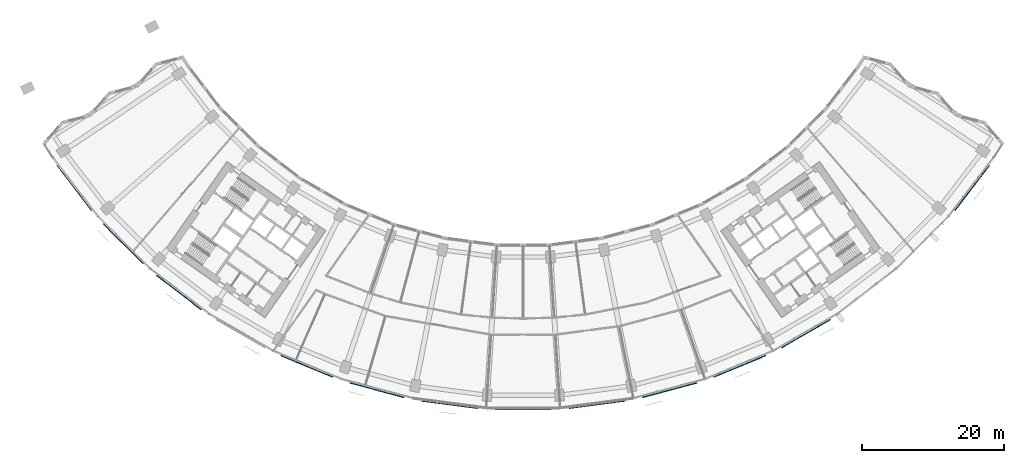
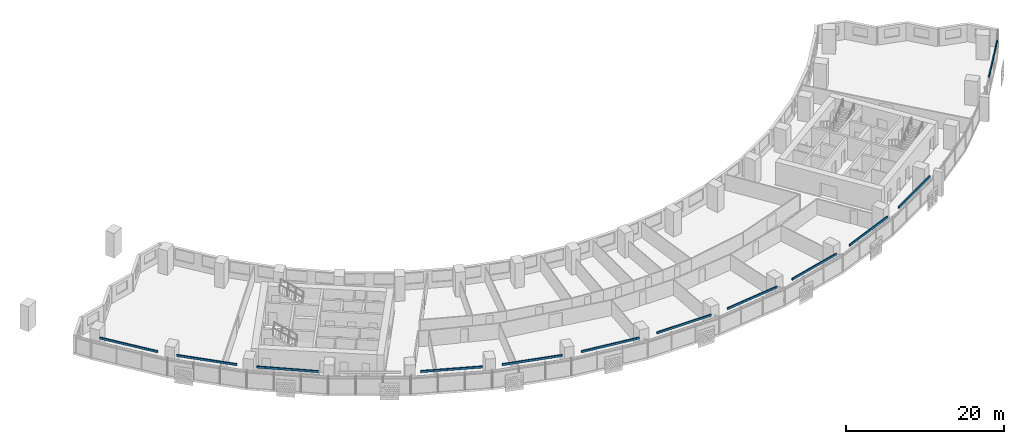
# One storey, part 9 of 31: 12 discrete accessories.
"""IFC4 building model written with IfcOpenShell, lengths in metres."""

from ifc_helpers import new_model, si_unit, direction, frame, origin, origin_2d, place, context, subcontext, project, spatial, rectangle, extrude, material, type_object, element, save


model = new_model("IFC4")

# Units and contexts
model_context = context("Model", 3, precision=1e-05, world=origin(), true_north=direction((0.0, 1.0)))
body_context = subcontext(model_context, "Body", "Model", "MODEL_VIEW")
ifc_project = project(units=[si_unit("LENGTHUNIT", "METRE"), si_unit("AREAUNIT", "SQUARE_METRE"), si_unit("VOLUMEUNIT", "CUBIC_METRE"), si_unit("PLANEANGLEUNIT", "RADIAN"), si_unit("MASSUNIT", "GRAM", prefix="KILO")], contexts=[model_context])

# Site, building, storey
site_placement = place(None, origin())
site = spatial("IfcSite", under=ifc_project, at=site_placement, CompositionType="ELEMENT")
building_placement = place(site_placement, origin())
building = spatial("IfcBuilding", under=site, at=building_placement, Name="Qamariyya Broadcast Tower", CompositionType="ELEMENT")
storey_placement = place(building_placement, frame((0.0, 0.0, 59.5)))
storey = spatial("IfcBuildingStorey", under=building, at=storey_placement, Name="L11", CompositionType="ELEMENT", Elevation=59.5)

# Discrete accessories
ifc_material = material(Name="Stainless steel 316", Category="steel")
discrete_accessory_type = type_object("IfcDiscreteAccessoryType", Name="Slab edge fixing angle, stainless steel", PredefinedType="BRACKET", material=ifc_material)
for number, where, z_axis, x_axis, name in (
    (1, (-63.11474609375, -48.4296875, 3.2998046875), (0.0, 0.0, 1.0), (0.608761429009, -0.793353340291, 0.0), "e-br-L11-01-0"),
    (2, (-56.25341796875, -56.25341796875, 3.2998046875), (0.0, 0.0, 1.0), (0.707106781187, -0.707106781187, 0.0), "e-br-L11-02-0"),
    (3, (-48.4296875, -63.11474609375, 3.2998046875), (0.0, 0.0, 1.0), (0.793353340291, -0.608761429009, 0.0), "e-br-L11-03-0"),
    (4, (-30.444091796875, -73.498779296875, 3.2998046875), (0.0, 0.0, 1.0), (0.923879532511, -0.382683432365, 0.0), "e-br-L11-05-0"),
    (5, (-20.59033203125, -76.84375, 3.2998046875), (0.0, 0.0, 1.0), (0.965925826289, -0.258819045103, 0.0), "e-br-L11-06-0"),
    (6, (-10.384033203125, -78.873779296875, 3.2998046875), (0.0, 0.0, 1.0), (0.991444861374, -0.13052619222, 0.0), "e-br-L11-07-0"),
    (7, (0.0, -79.554443359375, 3.2998046875), (0.0, 0.0, 1.0), (1.0, 0.0, 0.0), "e-br-L11-08-0"),
    (8, (10.384033203125, -78.873779296875, 3.2998046875), (0.0, 0.0, 1.0), (0.991444861374, 0.13052619222, 0.0), "e-br-L11-09-0"),
    (9, (20.59033203125, -76.84375, 3.2998046875), (0.0, 0.0, 1.0), (0.965925826289, 0.258819045103, 0.0), "e-br-L11-10-0"),
    (10, (30.444091796875, -73.498779296875, 3.2998046875), (0.0, 0.0, 1.0), (0.923879532511, 0.382683432365, 0.0), "e-br-L11-11-0"),
    (11, (39.77734375, -68.896240234375, 3.2998046875), (0.0, 0.0, 1.0), (0.866025403784, 0.5, 0.0), "e-br-L11-12-0"),
    (12, (63.11474609375, -48.4296875, 3.2998046875), (0.0, 0.0, 1.0), (0.608761429009, 0.793353340291, 0.0), "e-br-L11-15-0"),
):
    element("IfcDiscreteAccessory", number, at=place(storey_placement, frame(where, z_axis=z_axis, x_axis=x_axis)), inside=storey, type_object=discrete_accessory_type, Name=name, PredefinedType="BRACKET", context=body_context, shape_type="SweptSolid", body=[
        extrude(rectangle(XDim=7.9140625, YDim=0.14990234375, at=origin_2d()), origin(), (0.0, 0.0, 1.0), 0.300048828125),
    ])

save(model, "model.ifc")
